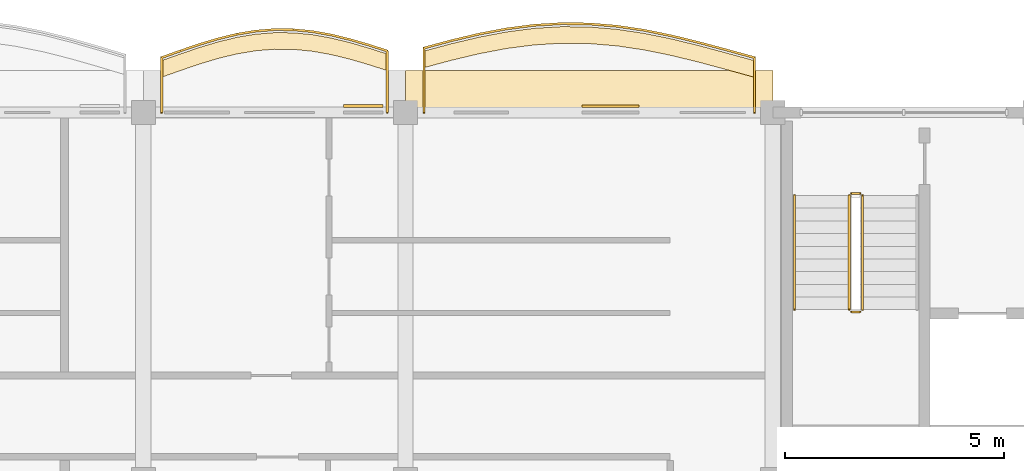
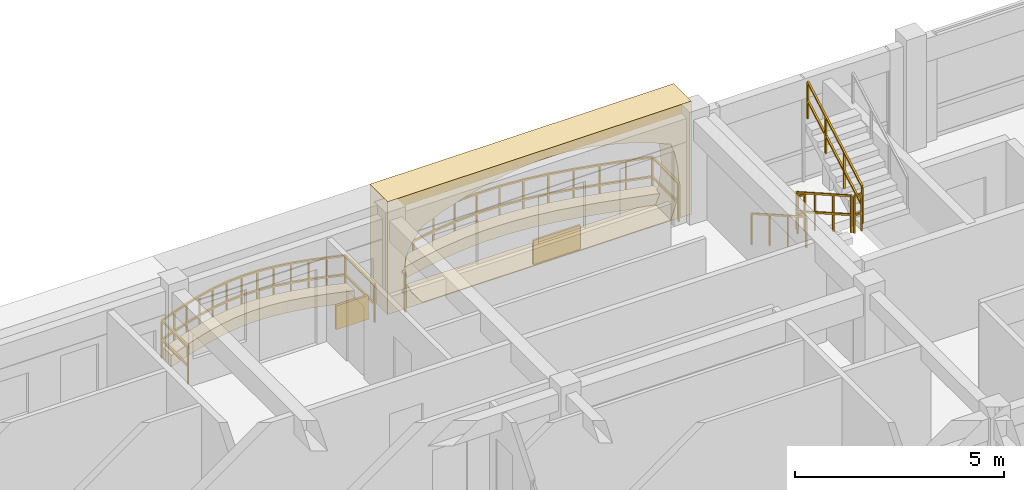
# One storey, part 44 of 45: 7 railings, 5 coverings.
"""IFC4 building model written with IfcOpenShell, lengths in metres."""

from ifc_helpers import new_model, si_unit, direction, frame, origin, origin_2d, place, context, subcontext, project, spatial, polyline, rectangle, outline, extrude, material, layer, layer_set, type_object, element, save


model = new_model("IFC4")

# Units and contexts
model_context = context("Model", 3, precision=1e-05, world=origin(), true_north=direction((0.0, 1.0)))
body_context = subcontext(model_context, "Body", "Model", "MODEL_VIEW")
ifc_project = project(units=[si_unit("LENGTHUNIT", "METRE"), si_unit("AREAUNIT", "SQUARE_METRE"), si_unit("VOLUMEUNIT", "CUBIC_METRE"), si_unit("PLANEANGLEUNIT", "RADIAN"), si_unit("MASSUNIT", "GRAM", prefix="KILO"), si_unit("THERMODYNAMICTEMPERATUREUNIT", "KELVIN")], contexts=[model_context])

# Site, building, storey
site_placement = place(None, origin())
site = spatial("IfcSite", under=ifc_project, at=site_placement, CompositionType="ELEMENT")
building_placement = place(site_placement, origin())
building = spatial("IfcBuilding", under=site, at=building_placement, Name="Thalorik Housing Commons", CompositionType="ELEMENT")
storey_placement = place(building_placement, frame((0.0, 0.0, 34.5)))
storey = spatial("IfcBuildingStorey", under=building, at=storey_placement, Name="L10", CompositionType="ELEMENT", Elevation=34.5)

# Coverings
ifc_material_1 = material(Name="Cobalt blue glazed ceramic facade tile panel", Category="masonry")
ifc_layer_1 = layer(ifc_material_1, 0.06005859375, Name="Cobalt blue glazed ceramic facade tile panel", Category="masonry")
ifc_layer_set_1 = layer_set([ifc_layer_1], Name="Cobalt blue glazed ceramic facade tile panel")
covering_type_1 = type_object("IfcCoveringType", Name="ARC-CLD-BLU-60", PredefinedType="CLADDING", material=ifc_layer_set_1)
covering_1_placement = place(storey_placement, frame((143.029052734375, 123.74755859375, 0.0498046875), z_axis=(0.0, 0.0, 1.0), x_axis=(-1.0, 0.0, 0.0)))
element("IfcCovering", 1, at=covering_1_placement, inside=storey, type_object=covering_type_1, Name="L10 De Stijl Recessed Window Spandrel 3045", PredefinedType="CLADDING", context=body_context, shape_type="SweptSolid", body=[
    extrude(rectangle(XDim=0.89990234375, YDim=0.06005859375, at=origin_2d()), origin(), (0.0, 0.0, 1.0), 0.699951171875),
])
ifc_material_2 = material(Name="Precast concrete C40/50", Category="concrete")
ifc_layer_2 = layer(ifc_material_2, 0.85009765625, Name="Precast concrete C40/50", Category="concrete")
ifc_layer_set_2 = layer_set([ifc_layer_2], Name="Precast concrete C40/50")
covering_type_2 = type_object("IfcCoveringType", Name="ARC-CLD-CUSH-850", PredefinedType="CLADDING", material=ifc_layer_set_2)
covering_2_placement = place(storey_placement, frame((148.199951171875, 124.137451171875, 0.0), z_axis=(0.0, 0.0, 1.0), x_axis=(-1.0, 0.0, 0.0)))
element("IfcCovering", 2, at=covering_2_placement, inside=storey, type_object=covering_type_2, Name="L10 White Precast Curved Cushion Bay Frame 3042", PredefinedType="CLADDING", context=body_context, shape_type="SweptSolid", body=[
    extrude(outline(polyline([(-4.199951171875, 0.0), (4.199951171875, 0.0), (4.199951171875, 3.300048828125), (-4.199951171875, 3.300048828125), (-4.199951171875, 0.0)]), holes=[polyline([(3.239990234375, 0.02490234375), (3.523193359375, 0.394287109375), (3.693359375, 0.76318359375), (3.75, 1.132568359375), (3.693359375, 1.501708984375), (3.523193359375, 1.870849609375), (3.239990234375, 2.239990234375), (2.66748046875, 2.4833984375), (2.094970703125, 2.6748046875), (1.5224609375, 2.82958984375), (0.949951171875, 2.94482421875), (0.37744140625, 3.01611328125), (-0.195068359375, 3.0400390625), (-0.767578125, 3.01611328125), (-1.340087890625, 2.94482421875), (-1.91259765625, 2.82958984375), (-2.485107421875, 2.6748046875), (-3.0576171875, 2.4833984375), (-3.6298828125, 2.239990234375), (-3.750244140625, 1.870849609375), (-3.822509765625, 1.501708984375), (-3.8466796875, 1.132568359375), (-3.822509765625, 0.76318359375), (-3.750244140625, 0.394287109375), (-3.6298828125, 0.02490234375), (3.239990234375, 0.02490234375)])]), frame((0.0, 0.425048828125, 0.0), z_axis=(0.0, -1.0, 0.0), x_axis=(1.0, 0.0, 0.0)), (0.0, 0.0, 1.0), 0.85009765625),
])
ifc_material_3 = material(Name="Terracotta red mineral fibre-cement panel", Category="masonry")
ifc_layer_3 = layer(ifc_material_3, 0.054931640625, Name="Terracotta red mineral fibre-cement panel", Category="masonry")
ifc_layer_set_3 = layer_set([ifc_layer_3], Name="Terracotta red mineral fibre-cement panel")
covering_type_3 = type_object("IfcCoveringType", Name="ARC-CLD-RED-55", PredefinedType="CLADDING", material=ifc_layer_set_3)
covering_3_placement = place(storey_placement, frame((148.68505859375, 123.7451171875, 0.0498046875), z_axis=(0.0, 0.0, 1.0), x_axis=(-1.0, 0.0, 0.0)))
element("IfcCovering", 3, at=covering_3_placement, inside=storey, type_object=covering_type_3, Name="L10 De Stijl Recessed Window Spandrel 3043", PredefinedType="CLADDING", context=body_context, shape_type="SweptSolid", body=[
    extrude(rectangle(XDim=1.300048828125, YDim=0.054931640625, at=origin_2d()), origin(), (0.0, 0.0, 1.0), 0.699951171875),
])
ifc_material_4 = material(Name="Planted vegetated substrate and terracotta trough", Category="masonry")
ifc_layer_4 = layer(ifc_material_4, 0.340087890625, Name="Planted vegetated substrate and terracotta trough", Category="masonry")
ifc_layer_set_4 = layer_set([ifc_layer_4], Name="Planted vegetated substrate and terracotta trough")
covering_type_4 = type_object("IfcCoveringType", Name="ARC-COV-PLANTER", PredefinedType="USERDEFINED", material=ifc_layer_set_4)
covering_4_placement = place(storey_placement, origin())
element("IfcCovering", 4, at=covering_4_placement, inside=storey, type_object=covering_type_4, Name="L10 Balcony Slab-Edge Planted Trough 5544", ObjectType="PLANTER", PredefinedType="USERDEFINED", context=body_context, shape_type="SweptSolid", body=[
    extrude(outline(polyline([(143.580078125, 124.938720703125), (143.14990234375, 125.075439453125), (142.719970703125, 125.20068359375), (142.2900390625, 125.305419921875), (141.860107421875, 125.381591796875), (141.429931640625, 125.423095703125), (141.0, 125.427001953125), (140.570068359375, 125.391845703125), (140.139892578125, 125.31982421875), (139.7099609375, 125.2158203125), (139.280029296875, 125.086181640625), (138.85009765625, 124.939697265625), (138.419921875, 124.786865234375), (138.419921875, 124.40673828125), (138.85009765625, 124.559814453125), (139.280029296875, 124.7060546875), (139.7099609375, 124.835693359375), (140.139892578125, 124.93994140625), (140.570068359375, 125.01171875), (141.0, 125.046875), (141.429931640625, 125.043212890625), (141.860107421875, 125.001708984375), (142.2900390625, 124.925537109375), (142.719970703125, 124.82080078125), (143.14990234375, 124.695556640625), (143.580078125, 124.55859375), (143.580078125, 124.938720703125)])), origin(), (0.0, 0.0, 1.0), 0.340087890625),
])
covering_5_placement = place(storey_placement, origin())
element("IfcCovering", 5, at=covering_5_placement, inside=storey, type_object=covering_type_4, Name="L10 Balcony Slab-Edge Planted Trough 5545", ObjectType="PLANTER", PredefinedType="USERDEFINED", context=body_context, shape_type="SweptSolid", body=[
    extrude(outline(polyline([(151.97998046875, 124.785888671875), (151.35009765625, 124.95849609375), (150.719970703125, 125.127685546875), (150.090087890625, 125.281982421875), (149.4599609375, 125.410400390625), (148.830078125, 125.504150390625), (148.199951171875, 125.556396484375), (147.570068359375, 125.563720703125), (146.93994140625, 125.525390625), (146.31005859375, 125.443359375), (145.679931640625, 125.323486328125), (145.050048828125, 125.174072265625), (144.419921875, 125.0048828125), (144.419921875, 124.625), (145.050048828125, 124.794189453125), (145.679931640625, 124.943603515625), (146.31005859375, 125.0634765625), (146.93994140625, 125.145263671875), (147.570068359375, 125.183837890625), (148.199951171875, 125.176513671875), (148.830078125, 125.1240234375), (149.4599609375, 125.030517578125), (150.090087890625, 124.90185546875), (150.719970703125, 124.747802734375), (151.35009765625, 124.57861328125), (151.97998046875, 124.40576171875), (151.97998046875, 124.785888671875)])), origin(), (0.0, 0.0, 1.0), 0.340087890625),
])

# Railings
ifc_material_5 = material(Name="Steel S355", Category="steel")
railing_type_1 = type_object("IfcRailingType", Name="ARC-RL-BAL-112", PredefinedType="BALUSTRADE", material=ifc_material_5)
railing_1_placement = place(storey_placement, frame((143.580078125, 123.60009765625, 0.0)))
element("IfcRailing", 6, at=railing_1_placement, inside=storey, type_object=railing_type_1, Name="L10 Cushion Balcony Guardrail 228", PredefinedType="BALUSTRADE", context=body_context, shape_type="SweptSolid", body=[
    extrude(rectangle(XDim=0.050048828125, YDim=0.050048828125, at=origin_2d()), frame((0.0, 0.0, 1.09521484375), z_axis=(0.0, 1.0, 0.0), x_axis=(-1.0, 0.0, 0.0)), (0.0, 0.0, 1.0), 1.40869140625),
    extrude(rectangle(XDim=0.050048828125, YDim=0.050048828125, at=origin_2d()), frame((0.0, 0.0, 0.53515625), z_axis=(0.0, 1.0, 0.0), x_axis=(-1.0, 0.0, 0.0)), (0.0, 0.0, 1.0), 1.40869140625),
    extrude(rectangle(XDim=0.050048828125, YDim=0.050048828125, at=origin_2d()), frame((0.0, 1.40869140625, 1.09521484375), z_axis=(-0.95302517705, 0.302891089187, 0.0), x_axis=(-0.302891089187, -0.95302517705, 0.0)), (0.0, 0.0, 1.0), 0.451416015625),
    extrude(rectangle(XDim=0.050048828125, YDim=0.050048828125, at=origin_2d()), frame((0.0, 1.40869140625, 0.53515625), z_axis=(-0.95302517705, 0.302891089187, 0.0), x_axis=(-0.302891089187, -0.95302517705, 0.0)), (0.0, 0.0, 1.0), 0.451416015625),
    extrude(rectangle(XDim=0.050048828125, YDim=0.050048828125, at=origin_2d()), frame((-0.43017578125, 1.54541015625, 1.09521484375), z_axis=(-0.960091541697, 0.27968595167, 0.0), x_axis=(-0.27968595167, -0.960091541697, 0.0)), (0.0, 0.0, 1.0), 0.44775390625),
    extrude(rectangle(XDim=0.050048828125, YDim=0.050048828125, at=origin_2d()), frame((-0.43017578125, 1.54541015625, 0.53515625), z_axis=(-0.960091541697, 0.27968595167, 0.0), x_axis=(-0.27968595167, -0.960091541697, 0.0)), (0.0, 0.0, 1.0), 0.44775390625),
    extrude(rectangle(XDim=0.050048828125, YDim=0.050048828125, at=origin_2d()), frame((-0.860107421875, 1.670654296875, 1.09521484375), z_axis=(-0.971585356615, 0.236689448034, 0.0), x_axis=(-0.236689448034, -0.971585356615, 0.0)), (0.0, 0.0, 1.0), 0.442626953125),
    extrude(rectangle(XDim=0.050048828125, YDim=0.050048828125, at=origin_2d()), frame((-0.860107421875, 1.670654296875, 0.53515625), z_axis=(-0.971585356615, 0.236689448034, 0.0), x_axis=(-0.236689448034, -0.971585356615, 0.0)), (0.0, 0.0, 1.0), 0.442626953125),
    extrude(rectangle(XDim=0.050048828125, YDim=0.050048828125, at=origin_2d()), frame((-1.2900390625, 1.775390625, 1.09521484375), z_axis=(-0.984665121198, 0.174455149241, 0.0), x_axis=(-0.174455149241, -0.984665121198, 0.0)), (0.0, 0.0, 1.0), 0.4365234375),
    extrude(rectangle(XDim=0.050048828125, YDim=0.050048828125, at=origin_2d()), frame((-1.2900390625, 1.775390625, 0.53515625), z_axis=(-0.984665121198, 0.174455149241, 0.0), x_axis=(-0.174455149241, -0.984665121198, 0.0)), (0.0, 0.0, 1.0), 0.4365234375),
    extrude(rectangle(XDim=0.050048828125, YDim=0.050048828125, at=origin_2d()), frame((-1.719970703125, 1.8515625, 1.09521484375), z_axis=(-0.995377926131, 0.09603532772, 0.0), x_axis=(-0.09603532772, -0.995377926131, 0.0)), (0.0, 0.0, 1.0), 0.43212890625),
    extrude(rectangle(XDim=0.050048828125, YDim=0.050048828125, at=origin_2d()), frame((-1.719970703125, 1.8515625, 0.53515625), z_axis=(-0.995377926131, 0.09603532772, 0.0), x_axis=(-0.09603532772, -0.995377926131, 0.0)), (0.0, 0.0, 1.0), 0.43212890625),
    extrude(rectangle(XDim=0.050048828125, YDim=0.050048828125, at=origin_2d()), frame((-2.150146484375, 1.89306640625, 1.09521484375), z_axis=(-0.99996372477, 0.008517578576, 0.0), x_axis=(-0.008517578576, -0.99996372477, 0.0)), (0.0, 0.0, 1.0), 0.429931640625),
    extrude(rectangle(XDim=0.050048828125, YDim=0.050048828125, at=origin_2d()), frame((-2.150146484375, 1.89306640625, 0.53515625), z_axis=(-0.99996372477, 0.008517578576, 0.0), x_axis=(-0.008517578576, -0.99996372477, 0.0)), (0.0, 0.0, 1.0), 0.429931640625),
    extrude(rectangle(XDim=0.050048828125, YDim=0.050048828125, at=origin_2d()), frame((-2.580078125, 1.896728515625, 1.09521484375), z_axis=(-0.996719183002, -0.080937446433, 0.0), x_axis=(0.080937446433, -0.996719183002, 0.0)), (0.0, 0.0, 1.0), 0.431396484375),
    extrude(rectangle(XDim=0.050048828125, YDim=0.050048828125, at=origin_2d()), frame((-2.580078125, 1.896728515625, 0.53515625), z_axis=(-0.996719183002, -0.080937446433, 0.0), x_axis=(0.080937446433, -0.996719183002, 0.0)), (0.0, 0.0, 1.0), 0.431396484375),
    extrude(rectangle(XDim=0.050048828125, YDim=0.050048828125, at=origin_2d()), frame((-3.010009765625, 1.86181640625, 1.09521484375), z_axis=(-0.986272630359, -0.165125099862, 0.0), x_axis=(0.165125099862, -0.986272630359, 0.0)), (0.0, 0.0, 1.0), 0.436279296875),
    extrude(rectangle(XDim=0.050048828125, YDim=0.050048828125, at=origin_2d()), frame((-3.010009765625, 1.86181640625, 0.53515625), z_axis=(-0.986272630359, -0.165125099862, 0.0), x_axis=(0.165125099862, -0.986272630359, 0.0)), (0.0, 0.0, 1.0), 0.436279296875),
    extrude(rectangle(XDim=0.050048828125, YDim=0.050048828125, at=origin_2d()), frame((-3.440185546875, 1.789794921875, 1.09521484375), z_axis=(-0.971838617266, -0.235647410319, 0.0), x_axis=(0.235647410319, -0.971838617266, 0.0)), (0.0, 0.0, 1.0), 0.4423828125),
    extrude(rectangle(XDim=0.050048828125, YDim=0.050048828125, at=origin_2d()), frame((-3.440185546875, 1.789794921875, 0.53515625), z_axis=(-0.971838617266, -0.235647410319, 0.0), x_axis=(0.235647410319, -0.971838617266, 0.0)), (0.0, 0.0, 1.0), 0.4423828125),
    extrude(rectangle(XDim=0.050048828125, YDim=0.050048828125, at=origin_2d()), frame((-3.8701171875, 1.685546875, 1.09521484375), z_axis=(-0.957421319012, -0.28869433299, 0.0), x_axis=(0.28869433299, -0.957421319012, 0.0)), (0.0, 0.0, 1.0), 0.448974609375),
    extrude(rectangle(XDim=0.050048828125, YDim=0.050048828125, at=origin_2d()), frame((-3.8701171875, 1.685546875, 0.53515625), z_axis=(-0.957421319012, -0.28869433299, 0.0), x_axis=(0.28869433299, -0.957421319012, 0.0)), (0.0, 0.0, 1.0), 0.448974609375),
    extrude(rectangle(XDim=0.050048828125, YDim=0.050048828125, at=origin_2d()), frame((-4.300048828125, 1.555908203125, 1.09521484375), z_axis=(-0.94673013643, -0.322028024828, 0.0), x_axis=(0.322028024828, -0.94673013643, 0.0)), (0.0, 0.0, 1.0), 0.4541015625),
    extrude(rectangle(XDim=0.050048828125, YDim=0.050048828125, at=origin_2d()), frame((-4.300048828125, 1.555908203125, 0.53515625), z_axis=(-0.94673013643, -0.322028024828, 0.0), x_axis=(0.322028024828, -0.94673013643, 0.0)), (0.0, 0.0, 1.0), 0.4541015625),
    extrude(rectangle(XDim=0.050048828125, YDim=0.050048828125, at=origin_2d()), frame((-4.72998046875, 1.40966796875, 1.09521484375), z_axis=(-0.942128395613, -0.335252272446, 0.0), x_axis=(0.335252272446, -0.942128395613, 0.0)), (0.0, 0.0, 1.0), 0.45654296875),
    extrude(rectangle(XDim=0.050048828125, YDim=0.050048828125, at=origin_2d()), frame((-4.72998046875, 1.40966796875, 0.53515625), z_axis=(-0.942128395613, -0.335252272446, 0.0), x_axis=(0.335252272446, -0.942128395613, 0.0)), (0.0, 0.0, 1.0), 0.45654296875),
    extrude(rectangle(XDim=0.050048828125, YDim=0.050048828125, at=origin_2d()), frame((-5.16015625, 1.256591796875, 1.09521484375), z_axis=(0.0, -1.0, 0.0), x_axis=(1.0, 0.0, 0.0)), (0.0, 0.0, 1.0), 1.256591796875),
    extrude(rectangle(XDim=0.050048828125, YDim=0.050048828125, at=origin_2d()), frame((-5.16015625, 1.256591796875, 0.53515625), z_axis=(0.0, -1.0, 0.0), x_axis=(1.0, 0.0, 0.0)), (0.0, 0.0, 1.0), 1.256591796875),
    extrude(rectangle(XDim=0.0419921875, YDim=0.0419921875, at=origin_2d()), origin(), (0.0, 0.0, 1.0), 1.070068359375),
    extrude(rectangle(XDim=0.0419921875, YDim=0.0419921875, at=origin_2d()), frame((0.0, 1.40869140625, 0.0)), (0.0, 0.0, 1.0), 1.070068359375),
    extrude(rectangle(XDim=0.0419921875, YDim=0.0419921875, at=origin_2d()), frame((-0.43017578125, 1.54541015625, 0.0)), (0.0, 0.0, 1.0), 1.070068359375),
    extrude(rectangle(XDim=0.0419921875, YDim=0.0419921875, at=origin_2d()), frame((-0.860107421875, 1.670654296875, 0.0)), (0.0, 0.0, 1.0), 1.070068359375),
    extrude(rectangle(XDim=0.0419921875, YDim=0.0419921875, at=origin_2d()), frame((-1.2900390625, 1.775390625, 0.0)), (0.0, 0.0, 1.0), 1.070068359375),
    extrude(rectangle(XDim=0.0419921875, YDim=0.0419921875, at=origin_2d()), frame((-1.719970703125, 1.8515625, 0.0)), (0.0, 0.0, 1.0), 1.070068359375),
    extrude(rectangle(XDim=0.0419921875, YDim=0.0419921875, at=origin_2d()), frame((-2.150146484375, 1.89306640625, 0.0)), (0.0, 0.0, 1.0), 1.070068359375),
    extrude(rectangle(XDim=0.0419921875, YDim=0.0419921875, at=origin_2d()), frame((-2.580078125, 1.896728515625, 0.0)), (0.0, 0.0, 1.0), 1.070068359375),
    extrude(rectangle(XDim=0.0419921875, YDim=0.0419921875, at=origin_2d()), frame((-3.010009765625, 1.86181640625, 0.0)), (0.0, 0.0, 1.0), 1.070068359375),
    extrude(rectangle(XDim=0.0419921875, YDim=0.0419921875, at=origin_2d()), frame((-3.440185546875, 1.789794921875, 0.0)), (0.0, 0.0, 1.0), 1.070068359375),
    extrude(rectangle(XDim=0.0419921875, YDim=0.0419921875, at=origin_2d()), frame((-3.8701171875, 1.685546875, 0.0)), (0.0, 0.0, 1.0), 1.070068359375),
    extrude(rectangle(XDim=0.0419921875, YDim=0.0419921875, at=origin_2d()), frame((-4.300048828125, 1.555908203125, 0.0)), (0.0, 0.0, 1.0), 1.070068359375),
    extrude(rectangle(XDim=0.0419921875, YDim=0.0419921875, at=origin_2d()), frame((-4.72998046875, 1.40966796875, 0.0)), (0.0, 0.0, 1.0), 1.070068359375),
    extrude(rectangle(XDim=0.0419921875, YDim=0.0419921875, at=origin_2d()), frame((-5.16015625, 1.256591796875, 0.0)), (0.0, 0.0, 1.0), 1.070068359375),
    extrude(rectangle(XDim=0.0419921875, YDim=0.0419921875, at=origin_2d()), frame((-5.16015625, 0.0, 0.0)), (0.0, 0.0, 1.0), 1.070068359375),
])
railing_type_2 = type_object("IfcRailingType", Name="ARC-RL-BAL-115", PredefinedType="BALUSTRADE", material=ifc_material_5)
railing_2_placement = place(storey_placement, frame((151.97998046875, 123.60009765625, 0.0)))
element("IfcRailing", 7, at=railing_2_placement, inside=storey, type_object=railing_type_2, Name="L10 Cushion Balcony Guardrail 229", PredefinedType="BALUSTRADE", context=body_context, shape_type="SweptSolid", body=[
    extrude(rectangle(XDim=0.050048828125, YDim=0.050048828125, at=origin_2d()), frame((0.0, 0.0, 1.125), z_axis=(0.0, 1.0, 0.0), x_axis=(-1.0, 0.0, 0.0)), (0.0, 0.0, 1.0), 1.255615234375),
    extrude(rectangle(XDim=0.050048828125, YDim=0.050048828125, at=origin_2d()), frame((0.0, 0.0, 0.5498046875), z_axis=(0.0, 1.0, 0.0), x_axis=(-1.0, 0.0, 0.0)), (0.0, 0.0, 1.0), 1.255615234375),
    extrude(rectangle(XDim=0.050048828125, YDim=0.050048828125, at=origin_2d()), frame((0.0, 1.255615234375, 1.125), z_axis=(-0.964348595215, 0.264635195896, 0.0), x_axis=(-0.264635195896, -0.964348595215, 0.0)), (0.0, 0.0, 1.0), 0.653076171875),
    extrude(rectangle(XDim=0.050048828125, YDim=0.050048828125, at=origin_2d()), frame((0.0, 1.255615234375, 0.5498046875), z_axis=(-0.964348595215, 0.264635195896, 0.0), x_axis=(-0.264635195896, -0.964348595215, 0.0)), (0.0, 0.0, 1.0), 0.653076171875),
    extrude(rectangle(XDim=0.050048828125, YDim=0.050048828125, at=origin_2d()), frame((-0.6298828125, 1.428466796875, 1.125), z_axis=(-0.965792566716, 0.259315865453, 0.0), x_axis=(-0.259315865453, -0.965792566716, 0.0)), (0.0, 0.0, 1.0), 0.65234375),
    extrude(rectangle(XDim=0.050048828125, YDim=0.050048828125, at=origin_2d()), frame((-0.6298828125, 1.428466796875, 0.5498046875), z_axis=(-0.965792566716, 0.259315865453, 0.0), x_axis=(-0.259315865453, -0.965792566716, 0.0)), (0.0, 0.0, 1.0), 0.65234375),
    extrude(rectangle(XDim=0.050048828125, YDim=0.050048828125, at=origin_2d()), frame((-1.260009765625, 1.59765625, 1.125), z_axis=(-0.971370051234, 0.23757151253, 0.0), x_axis=(-0.23757151253, -0.971370051234, 0.0)), (0.0, 0.0, 1.0), 0.6484375),
    extrude(rectangle(XDim=0.050048828125, YDim=0.050048828125, at=origin_2d()), frame((-1.260009765625, 1.59765625, 0.5498046875), z_axis=(-0.971370051234, 0.23757151253, 0.0), x_axis=(-0.23757151253, -0.971370051234, 0.0)), (0.0, 0.0, 1.0), 0.6484375),
    extrude(rectangle(XDim=0.050048828125, YDim=0.050048828125, at=origin_2d()), frame((-1.889892578125, 1.751708984375, 1.125), z_axis=(-0.979784321963, 0.200056698053, 0.0), x_axis=(-0.200056698053, -0.979784321963, 0.0)), (0.0, 0.0, 1.0), 0.64306640625),
    extrude(rectangle(XDim=0.050048828125, YDim=0.050048828125, at=origin_2d()), frame((-1.889892578125, 1.751708984375, 0.5498046875), z_axis=(-0.979784321963, 0.200056698053, 0.0), x_axis=(-0.200056698053, -0.979784321963, 0.0)), (0.0, 0.0, 1.0), 0.64306640625),
    extrude(rectangle(XDim=0.050048828125, YDim=0.050048828125, at=origin_2d()), frame((-2.52001953125, 1.88037109375, 1.125), z_axis=(-0.98910443516, 0.147215543838, 0.0), x_axis=(-0.147215543838, -0.98910443516, 0.0)), (0.0, 0.0, 1.0), 0.63671875),
    extrude(rectangle(XDim=0.050048828125, YDim=0.050048828125, at=origin_2d()), frame((-2.52001953125, 1.88037109375, 0.5498046875), z_axis=(-0.98910443516, 0.147215543838, 0.0), x_axis=(-0.147215543838, -0.98910443516, 0.0)), (0.0, 0.0, 1.0), 0.63671875),
    extrude(rectangle(XDim=0.050048828125, YDim=0.050048828125, at=origin_2d()), frame((-3.14990234375, 1.97412109375, 1.125), z_axis=(-0.996580289475, 0.082630058872, 0.0), x_axis=(-0.082630058872, -0.996580289475, 0.0)), (0.0, 0.0, 1.0), 0.63232421875),
    extrude(rectangle(XDim=0.050048828125, YDim=0.050048828125, at=origin_2d()), frame((-3.14990234375, 1.97412109375, 0.5498046875), z_axis=(-0.996580289475, 0.082630058872, 0.0), x_axis=(-0.082630058872, -0.996580289475, 0.0)), (0.0, 0.0, 1.0), 0.63232421875),
    extrude(rectangle(XDim=0.050048828125, YDim=0.050048828125, at=origin_2d()), frame((-3.780029296875, 2.0263671875, 1.125), z_axis=(-0.999932402744, 0.011627120962, 0.0), x_axis=(-0.011627120962, -0.999932402744, 0.0)), (0.0, 0.0, 1.0), 0.6298828125),
    extrude(rectangle(XDim=0.050048828125, YDim=0.050048828125, at=origin_2d()), frame((-3.780029296875, 2.0263671875, 0.5498046875), z_axis=(-0.999932402744, 0.011627120962, 0.0), x_axis=(-0.011627120962, -0.999932402744, 0.0)), (0.0, 0.0, 1.0), 0.6298828125),
    extrude(rectangle(XDim=0.050048828125, YDim=0.050048828125, at=origin_2d()), frame((-4.409912109375, 2.03369140625, 1.125), z_axis=(-0.998131514932, -0.061102200449, 0.0), x_axis=(0.061102200449, -0.998131514932, 0.0)), (0.0, 0.0, 1.0), 0.63134765625),
    extrude(rectangle(XDim=0.050048828125, YDim=0.050048828125, at=origin_2d()), frame((-4.409912109375, 2.03369140625, 0.5498046875), z_axis=(-0.998131514932, -0.061102200449, 0.0), x_axis=(0.061102200449, -0.998131514932, 0.0)), (0.0, 0.0, 1.0), 0.63134765625),
    extrude(rectangle(XDim=0.050048828125, YDim=0.050048828125, at=origin_2d()), frame((-5.0400390625, 1.9951171875, 1.125), z_axis=(-0.9916752609, -0.128764035815, 0.0), x_axis=(0.128764035815, -0.9916752609, 0.0)), (0.0, 0.0, 1.0), 0.63525390625),
    extrude(rectangle(XDim=0.050048828125, YDim=0.050048828125, at=origin_2d()), frame((-5.0400390625, 1.9951171875, 0.5498046875), z_axis=(-0.9916752609, -0.128764035815, 0.0), x_axis=(0.128764035815, -0.9916752609, 0.0)), (0.0, 0.0, 1.0), 0.63525390625),
    extrude(rectangle(XDim=0.050048828125, YDim=0.050048828125, at=origin_2d()), frame((-5.669921875, 1.913330078125, 1.125), z_axis=(-0.982381849239, -0.186884729941, 0.0), x_axis=(0.186884729941, -0.982381849239, 0.0)), (0.0, 0.0, 1.0), 0.641357421875),
    extrude(rectangle(XDim=0.050048828125, YDim=0.050048828125, at=origin_2d()), frame((-5.669921875, 1.913330078125, 0.5498046875), z_axis=(-0.982381849239, -0.186884729941, 0.0), x_axis=(0.186884729941, -0.982381849239, 0.0)), (0.0, 0.0, 1.0), 0.641357421875),
    extrude(rectangle(XDim=0.050048828125, YDim=0.050048828125, at=origin_2d()), frame((-6.300048828125, 1.79345703125, 1.125), z_axis=(-0.973000103625, -0.230804675744, 0.0), x_axis=(0.230804675744, -0.973000103625, 0.0)), (0.0, 0.0, 1.0), 0.6474609375),
    extrude(rectangle(XDim=0.050048828125, YDim=0.050048828125, at=origin_2d()), frame((-6.300048828125, 1.79345703125, 0.5498046875), z_axis=(-0.973000103625, -0.230804675744, 0.0), x_axis=(0.230804675744, -0.973000103625, 0.0)), (0.0, 0.0, 1.0), 0.6474609375),
    extrude(rectangle(XDim=0.050048828125, YDim=0.050048828125, at=origin_2d()), frame((-6.929931640625, 1.64404296875, 1.125), z_axis=(-0.965792566716, -0.259315865453, 0.0), x_axis=(0.259315865453, -0.965792566716, 0.0)), (0.0, 0.0, 1.0), 0.65234375),
    extrude(rectangle(XDim=0.050048828125, YDim=0.050048828125, at=origin_2d()), frame((-6.929931640625, 1.64404296875, 0.5498046875), z_axis=(-0.965792566716, -0.259315865453, 0.0), x_axis=(0.259315865453, -0.965792566716, 0.0)), (0.0, 0.0, 1.0), 0.65234375),
    extrude(rectangle(XDim=0.050048828125, YDim=0.050048828125, at=origin_2d()), frame((-7.56005859375, 1.474853515625, 1.125), z_axis=(0.0, -1.0, 0.0), x_axis=(1.0, 0.0, 0.0)), (0.0, 0.0, 1.0), 1.474853515625),
    extrude(rectangle(XDim=0.050048828125, YDim=0.050048828125, at=origin_2d()), frame((-7.56005859375, 1.474853515625, 0.5498046875), z_axis=(0.0, -1.0, 0.0), x_axis=(1.0, 0.0, 0.0)), (0.0, 0.0, 1.0), 1.474853515625),
    extrude(rectangle(XDim=0.0419921875, YDim=0.0419921875, at=origin_2d()), origin(), (0.0, 0.0, 1.0), 1.099853515625),
    extrude(rectangle(XDim=0.0419921875, YDim=0.0419921875, at=origin_2d()), frame((0.0, 1.255615234375, 0.0)), (0.0, 0.0, 1.0), 1.099853515625),
    extrude(rectangle(XDim=0.0419921875, YDim=0.0419921875, at=origin_2d()), frame((-0.6298828125, 1.428466796875, 0.0)), (0.0, 0.0, 1.0), 1.099853515625),
    extrude(rectangle(XDim=0.0419921875, YDim=0.0419921875, at=origin_2d()), frame((-1.260009765625, 1.59765625, 0.0)), (0.0, 0.0, 1.0), 1.099853515625),
    extrude(rectangle(XDim=0.0419921875, YDim=0.0419921875, at=origin_2d()), frame((-1.889892578125, 1.751708984375, 0.0)), (0.0, 0.0, 1.0), 1.099853515625),
    extrude(rectangle(XDim=0.0419921875, YDim=0.0419921875, at=origin_2d()), frame((-2.52001953125, 1.88037109375, 0.0)), (0.0, 0.0, 1.0), 1.099853515625),
    extrude(rectangle(XDim=0.0419921875, YDim=0.0419921875, at=origin_2d()), frame((-3.14990234375, 1.97412109375, 0.0)), (0.0, 0.0, 1.0), 1.099853515625),
    extrude(rectangle(XDim=0.0419921875, YDim=0.0419921875, at=origin_2d()), frame((-3.780029296875, 2.0263671875, 0.0)), (0.0, 0.0, 1.0), 1.099853515625),
    extrude(rectangle(XDim=0.0419921875, YDim=0.0419921875, at=origin_2d()), frame((-4.409912109375, 2.03369140625, 0.0)), (0.0, 0.0, 1.0), 1.099853515625),
    extrude(rectangle(XDim=0.0419921875, YDim=0.0419921875, at=origin_2d()), frame((-5.0400390625, 1.9951171875, 0.0)), (0.0, 0.0, 1.0), 1.099853515625),
    extrude(rectangle(XDim=0.0419921875, YDim=0.0419921875, at=origin_2d()), frame((-5.669921875, 1.913330078125, 0.0)), (0.0, 0.0, 1.0), 1.099853515625),
    extrude(rectangle(XDim=0.0419921875, YDim=0.0419921875, at=origin_2d()), frame((-6.300048828125, 1.79345703125, 0.0)), (0.0, 0.0, 1.0), 1.099853515625),
    extrude(rectangle(XDim=0.0419921875, YDim=0.0419921875, at=origin_2d()), frame((-6.929931640625, 1.64404296875, 0.0)), (0.0, 0.0, 1.0), 1.099853515625),
    extrude(rectangle(XDim=0.0419921875, YDim=0.0419921875, at=origin_2d()), frame((-7.56005859375, 1.474853515625, 0.0)), (0.0, 0.0, 1.0), 1.099853515625),
    extrude(rectangle(XDim=0.0419921875, YDim=0.0419921875, at=origin_2d()), frame((-7.56005859375, 0.0, 0.0)), (0.0, 0.0, 1.0), 1.099853515625),
])
railing_type_3 = type_object("IfcRailingType", Name="ARC-RL-STR-GRD110", PredefinedType="GUARDRAIL", material=ifc_material_5)
railing_3_placement = place(storey_placement, frame((154.14990234375, 121.699951171875, 0.1650390625)))
element("IfcRailing", 8, at=railing_3_placement, inside=storey, type_object=railing_type_3, Name="L10 ST-B1 stair guard 1", PredefinedType="GUARDRAIL", context=body_context, shape_type="SweptSolid", body=[
    extrude(rectangle(XDim=0.048095703125, YDim=0.048095703125, at=origin_2d()), frame((0.0, 0.0, 1.076171875), z_axis=(0.0, -0.869172267526, 0.494509422927), x_axis=(1.0, 0.0, 0.0)), (0.0, 0.0, 1.0), 3.002685546875),
    extrude(rectangle(XDim=0.048095703125, YDim=0.048095703125, at=origin_2d()), frame((0.0, 0.0, 0.52587890625), z_axis=(0.0, -0.869172267526, 0.494509422927), x_axis=(1.0, 0.0, 0.0)), (0.0, 0.0, 1.0), 3.002685546875),
    extrude(rectangle(XDim=0.0419921875, YDim=0.0419921875, at=origin_2d()), origin(), (0.0, 0.0, 1.0), 1.052001953125),
    extrude(rectangle(XDim=0.0419921875, YDim=0.0419921875, at=origin_2d()), frame((0.0, -0.869873046875, 0.494873046875)), (0.0, 0.0, 1.0), 1.052001953125),
    extrude(rectangle(XDim=0.0419921875, YDim=0.0419921875, at=origin_2d()), frame((0.0, -1.739990234375, 0.989990234375)), (0.0, 0.0, 1.0), 1.052001953125),
    extrude(rectangle(XDim=0.0419921875, YDim=0.0419921875, at=origin_2d()), frame((0.0, -2.60986328125, 1.48486328125)), (0.0, 0.0, 1.0), 1.052001953125),
])
railing_4_placement = place(storey_placement, frame((154.199951171875, 119.0400390625, 1.64990234375)))
element("IfcRailing", 9, at=railing_4_placement, inside=storey, type_object=railing_type_3, Name="L10 ST-B1 stair guard 2", PredefinedType="GUARDRAIL", context=body_context, shape_type="SweptSolid", body=[
    extrude(rectangle(XDim=0.048095703125, YDim=0.048095703125, at=origin_2d()), frame((0.0, 0.0, 1.076171875), z_axis=(1.0, 0.0, 0.0), x_axis=(0.0, 1.0, 0.0)), (0.0, 0.0, 1.0), 0.199951171875),
    extrude(rectangle(XDim=0.048095703125, YDim=0.048095703125, at=origin_2d()), frame((0.0, 0.0, 0.52587890625), z_axis=(1.0, 0.0, 0.0), x_axis=(0.0, 1.0, 0.0)), (0.0, 0.0, 1.0), 0.199951171875),
    extrude(rectangle(XDim=0.0419921875, YDim=0.0419921875, at=origin_2d()), origin(), (0.0, 0.0, 1.0), 1.052001953125),
    extrude(rectangle(XDim=0.0419921875, YDim=0.0419921875, at=origin_2d()), frame((0.199951171875, 0.0, 0.0)), (0.0, 0.0, 1.0), 1.052001953125),
])
railing_5_placement = place(storey_placement, frame((154.449951171875, 119.090087890625, 1.81494140625)))
element("IfcRailing", 10, at=railing_5_placement, inside=storey, type_object=railing_type_3, Name="L10 ST-B1 stair guard 3", PredefinedType="GUARDRAIL", context=body_context, shape_type="SweptSolid", body=[
    extrude(rectangle(XDim=0.048095703125, YDim=0.048095703125, at=origin_2d()), frame((0.0, 0.0, 1.076171875), z_axis=(0.0, 0.869137319866, 0.494570843475), x_axis=(-1.0, 0.0, 0.0)), (0.0, 0.0, 1.0), 3.0029296875),
    extrude(rectangle(XDim=0.048095703125, YDim=0.048095703125, at=origin_2d()), frame((0.0, 0.0, 0.52587890625), z_axis=(0.0, 0.869137319866, 0.494570843475), x_axis=(-1.0, 0.0, 0.0)), (0.0, 0.0, 1.0), 3.0029296875),
    extrude(rectangle(XDim=0.0419921875, YDim=0.0419921875, at=origin_2d()), origin(), (0.0, 0.0, 1.0), 1.052001953125),
    extrude(rectangle(XDim=0.0419921875, YDim=0.0419921875, at=origin_2d()), frame((0.0, 0.869873046875, 0.4951171875)), (0.0, 0.0, 1.0), 1.052001953125),
    extrude(rectangle(XDim=0.0419921875, YDim=0.0419921875, at=origin_2d()), frame((0.0, 1.739990234375, 0.989990234375)), (0.0, 0.0, 1.0), 1.052001953125),
    extrude(rectangle(XDim=0.0419921875, YDim=0.0419921875, at=origin_2d()), frame((0.0, 2.60986328125, 1.485107421875)), (0.0, 0.0, 1.0), 1.052001953125),
])
railing_6_placement = place(storey_placement, frame((154.199951171875, 121.75, 0.0)))
element("IfcRailing", 11, at=railing_6_placement, inside=storey, type_object=railing_type_3, Name="L10 ST-B1 stair guard 4", PredefinedType="GUARDRAIL", context=body_context, shape_type="SweptSolid", body=[
    extrude(rectangle(XDim=0.048095703125, YDim=0.048095703125, at=origin_2d()), frame((0.0, 0.0, 1.076171875), z_axis=(1.0, 0.0, 0.0), x_axis=(0.0, 1.0, 0.0)), (0.0, 0.0, 1.0), 0.199951171875),
    extrude(rectangle(XDim=0.048095703125, YDim=0.048095703125, at=origin_2d()), frame((0.0, 0.0, 0.52587890625), z_axis=(1.0, 0.0, 0.0), x_axis=(0.0, 1.0, 0.0)), (0.0, 0.0, 1.0), 0.199951171875),
    extrude(rectangle(XDim=0.0419921875, YDim=0.0419921875, at=origin_2d()), origin(), (0.0, 0.0, 1.0), 1.052001953125),
    extrude(rectangle(XDim=0.0419921875, YDim=0.0419921875, at=origin_2d()), frame((0.199951171875, 0.0, 0.0)), (0.0, 0.0, 1.0), 1.052001953125),
])
railing_type_4 = type_object("IfcRailingType", Name="ARC-RL-STR-HR092", PredefinedType="HANDRAIL", material=ifc_material_5)
railing_7_placement = place(storey_placement, frame((152.89990234375, 121.699951171875, 0.1650390625)))
element("IfcRailing", 12, at=railing_7_placement, inside=storey, type_object=railing_type_4, Name="L10 ST-B1 stair handrail 1", PredefinedType="HANDRAIL", context=body_context, shape_type="SweptSolid", body=[
    extrude(rectangle(XDim=0.048095703125, YDim=0.048095703125, at=origin_2d()), frame((0.0, 0.0, 0.89599609375), z_axis=(0.0, -0.869172267526, 0.494509422927), x_axis=(1.0, 0.0, 0.0)), (0.0, 0.0, 1.0), 3.002685546875),
    extrude(rectangle(XDim=0.0419921875, YDim=0.0419921875, at=origin_2d()), origin(), (0.0, 0.0, 1.0), 0.871826171875),
    extrude(rectangle(XDim=0.0419921875, YDim=0.0419921875, at=origin_2d()), frame((0.0, -0.869873046875, 0.494873046875)), (0.0, 0.0, 1.0), 0.871826171875),
    extrude(rectangle(XDim=0.0419921875, YDim=0.0419921875, at=origin_2d()), frame((0.0, -1.739990234375, 0.989990234375)), (0.0, 0.0, 1.0), 0.871826171875),
    extrude(rectangle(XDim=0.0419921875, YDim=0.0419921875, at=origin_2d()), frame((0.0, -2.60986328125, 1.48486328125)), (0.0, 0.0, 1.0), 0.871826171875),
])

save(model, "model.ifc")
